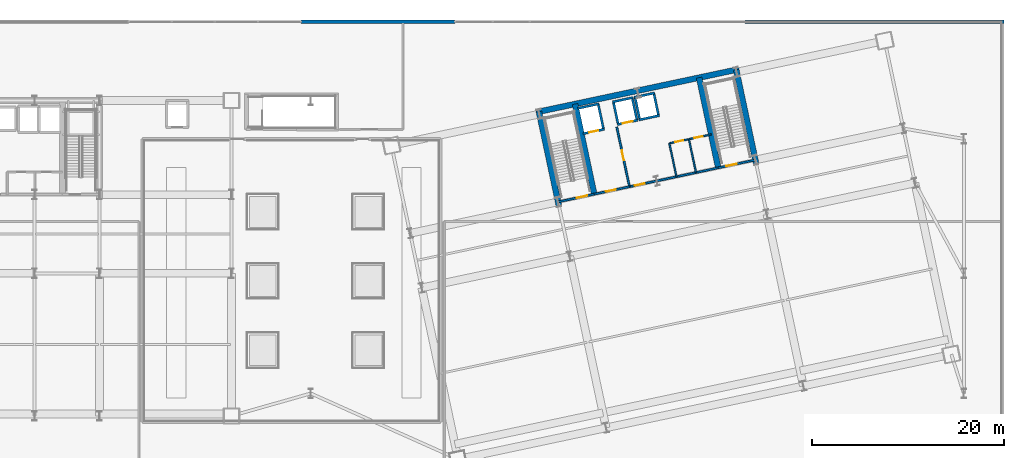
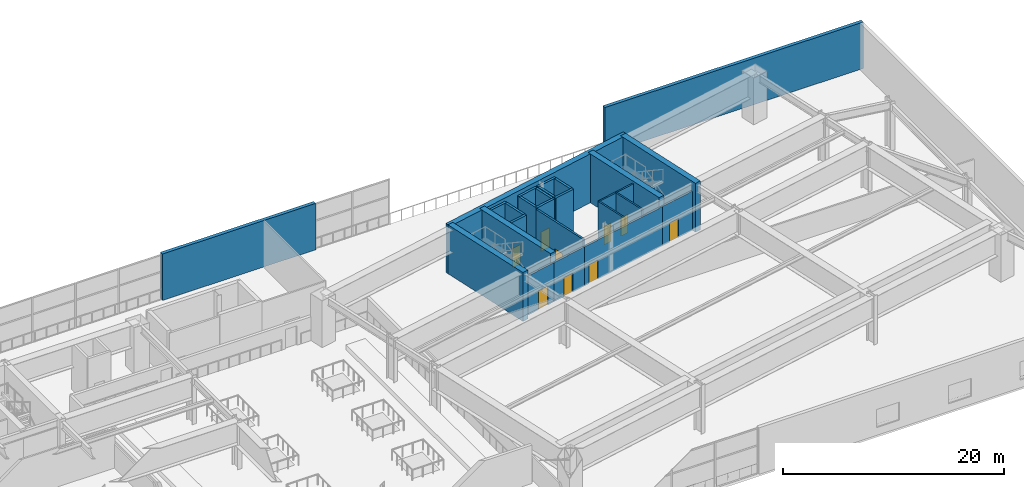
# One storey, part 19 of 29: 26 walls, 9 doors, 9 openings.
"""IFC4 building model written with IfcOpenShell, lengths in metres."""

import ifcopenshell
import ifcopenshell.guid

model = None  # the IFC model being written
_history = None  # IfcOwnerHistory: only IFC2X3 demands one
_inside = {}  # id of a spatial element -> (the spatial element, [elements in it])
_under = {}  # id of a project, library or spatial element -> (it, [spatial elements below it])
_declared = {}  # id of a project -> (the project, [libraries it declares])
_typed = {}  # id of a type object -> (the type object, [elements of that type])
_made_of = {}  # id of a material, layer set ... -> (it, [elements and type objects made of it])


def new_model(schema):
    """Start an empty IFC model of exactly this schema.

    Asked for "IFC4X3", IfcOpenShell would pick the latest addendum, in which some entities
    have other attributes; the version numbers below select the first issue.
    IFC2X3 requires an IfcOwnerHistory on every rooted entity: one is made here for all.
    """
    global model, _history
    if schema == "IFC4X3":
        model = ifcopenshell.file(schema_version=(4, 3, 0, 0))
    else:
        model = ifcopenshell.file(schema=schema)
    _inside.clear()
    _under.clear()
    _declared.clear()
    _typed.clear()
    _made_of.clear()
    _history = None
    if model.schema == "IFC2X3":
        org = make("IfcOrganization", Name="unknown")
        user = make(
            "IfcPersonAndOrganization",
            ThePerson=make("IfcPerson", FamilyName="unknown"),
            TheOrganization=org,
        )
        app = make(
            "IfcApplication",
            ApplicationDeveloper=org,
            Version="unknown",
            ApplicationFullName="unknown",
            ApplicationIdentifier="unknown",
        )
        _history = make(
            "IfcOwnerHistory",
            OwningUser=user,
            OwningApplication=app,
            ChangeAction="ADDED",
            CreationDate=0,
        )
    return model


def make(cls, **values):
    """One entity of the class cls with the attributes given. An attribute that is None is left unset."""
    return model.create_entity(
        cls, **{name: value for name, value in values.items() if value is not None}
    )


def rooted(cls, **values):
    """An entity with a GlobalId (a new one), such as an element, a storey or a relation."""
    return make(cls, GlobalId=ifcopenshell.guid.new(), OwnerHistory=_history, **values)


def si_unit(unit_type, name, prefix=None):
    """IfcSIUnit, for example si_unit("LENGTHUNIT", "METRE", prefix="MILLI")."""
    return make("IfcSIUnit", UnitType=unit_type, Prefix=prefix, Name=name)


def assignment(units):
    """IfcUnitAssignment: the units of a project."""
    return None if units is None else make("IfcUnitAssignment", Units=units)


def point(xyz):
    """IfcCartesianPoint."""
    return None if xyz is None else make("IfcCartesianPoint", Coordinates=xyz)


def direction(xyz):
    """IfcDirection."""
    return None if xyz is None else make("IfcDirection", DirectionRatios=xyz)


def frame(location, z_axis=None, x_axis=None):
    """IfcAxis2Placement3D, a coordinate frame: its origin and axes. An axis left out is left unset."""
    return make(
        "IfcAxis2Placement3D",
        Location=point(location),
        Axis=direction(z_axis),
        RefDirection=direction(x_axis),
    )


def frame_2d(location, x_axis=None):
    """IfcAxis2Placement2D, a coordinate frame in the plane: its origin and x axis."""
    return make(
        "IfcAxis2Placement2D", Location=point(location), RefDirection=direction(x_axis)
    )


def origin():
    """The frame at (0, 0, 0) with its axes left unset."""
    return frame((0.0, 0.0, 0.0))


def place(relative_to, where):
    """IfcLocalPlacement: puts the frame where relative to a parent placement (None: the world)."""
    return make(
        "IfcLocalPlacement", PlacementRelTo=relative_to, RelativePlacement=where
    )


def context(
    kind, dimensions, precision=None, world=None, true_north=None, identifier=None
):
    """IfcGeometricRepresentationContext, for example the 3D "Model" context."""
    return make(
        "IfcGeometricRepresentationContext",
        ContextIdentifier=identifier,
        ContextType=kind,
        CoordinateSpaceDimension=dimensions,
        Precision=precision,
        WorldCoordinateSystem=world,
        TrueNorth=true_north,
    )


def subcontext(parent, identifier, kind, view, scale=None):
    """IfcGeometricRepresentationSubContext, for example "Body" below "Model"."""
    return make(
        "IfcGeometricRepresentationSubContext",
        ContextIdentifier=identifier,
        ContextType=kind,
        ParentContext=parent,
        TargetScale=scale,
        TargetView=view,
    )


def project(units=None, contexts=None):
    """IfcProject with its units and contexts."""
    return rooted(
        "IfcProject",
        Name="project",
        RepresentationContexts=contexts,
        UnitsInContext=assignment(units),
    )


def spatial(cls, under=None, at=None, **own):
    """A site, building, storey or space (cls), placed at a placement, below another one or the project."""
    s = rooted(cls, ObjectPlacement=at, **own)
    if under is not None:
        _under.setdefault(under.id(), (under, []))[1].append(s)
    return s


def profile(cls, at=None, kind="AREA", **sizes):
    """A parametric profile (cls). Its sizes go by their IFC names, for example OverallWidth=200.0."""
    return make(cls, ProfileType=kind, Position=at, **sizes)


def rectangle(**sizes):
    """IfcRectangleProfileDef."""
    return profile("IfcRectangleProfileDef", **sizes)


def extrude(swept, where, along, depth):
    """IfcExtrudedAreaSolid: the profile swept, set in the frame where, extruded along a direction by depth."""
    return make(
        "IfcExtrudedAreaSolid",
        SweptArea=swept,
        Position=where,
        ExtrudedDirection=direction(along),
        Depth=depth,
    )


def shape(context_of_items, identifier, shape_type, items):
    """IfcShapeRepresentation: the items that make up one representation, for example the "Body"."""
    return make(
        "IfcShapeRepresentation",
        ContextOfItems=context_of_items,
        RepresentationIdentifier=identifier,
        RepresentationType=shape_type,
        Items=items,
    )


def material(Name=None, Category=None):
    """IfcMaterial."""
    return make("IfcMaterial", Name=Name, Category=Category)


def layer(
    of_material, thickness, ventilated=None, Name=None, Category=None, Priority=None
):
    """IfcMaterialLayer: one layer of a wall or slab, of a material (None: an air gap)."""
    return make(
        "IfcMaterialLayer",
        Material=of_material,
        LayerThickness=thickness,
        IsVentilated=ventilated,
        Name=Name,
        Category=Category,
        Priority=Priority,
    )


def layer_set(layers, Name=None):
    """IfcMaterialLayerSet."""
    return make("IfcMaterialLayerSet", MaterialLayers=layers, LayerSetName=Name)


def made_of(thing, what):
    """Note that an element or type object is made of a material, layer set ...; save() writes the relation."""
    if what is not None:
        _made_of.setdefault(what.id(), (what, []))[1].append(thing)
    return thing


def type_object(cls, material=None, **own):
    """A type object (cls), such as IfcWallType, which elements share."""
    return made_of(rooted(cls, **own), material)


def element(
    cls,
    number,
    at=None,
    inside=None,
    cuts=None,
    type_object=None,
    material=None,
    context=None,
    identifier="Body",
    shape_type=None,
    held_by="IfcProductDefinitionShape",
    body=None,
    shapes=None,
    **own,
):
    """One element of the class cls, such as IfcWall. Its Tag is "e" and its number.

    at: its placement. inside: the storey or other place that contains it. cuts: it is an
    opening in that element (IfcRelVoidsElement). A single representation is given by context,
    identifier, shape_type and body (its items); several are given by shapes. held_by: the class
    of the entity that holds the representations. save() writes the other relations.
    """
    e = rooted(cls, Tag="e%d" % number, ObjectPlacement=at, **own)
    if body is not None:
        shapes = [shape(context, identifier, shape_type, body)]
    if shapes is not None:
        e.Representation = make(held_by, Representations=shapes)
    if inside is not None:
        _inside.setdefault(inside.id(), (inside, []))[1].append(e)
    if cuts is not None:
        rooted(
            "IfcRelVoidsElement", RelatingBuildingElement=cuts, RelatedOpeningElement=e
        )
    if type_object is not None:
        _typed.setdefault(type_object.id(), (type_object, []))[1].append(e)
    return made_of(e, material)


def fill(opening, filler):
    """IfcRelFillsElement: the door or window that sits in an opening."""
    return rooted(
        "IfcRelFillsElement",
        RelatingOpeningElement=opening,
        RelatedBuildingElement=filler,
    )


def aggregate(whole, parts):
    """IfcRelAggregates: a whole, such as a stair, and the parts it consists of."""
    return rooted("IfcRelAggregates", RelatingObject=whole, RelatedObjects=parts)


def save(model, path):
    """Write the relations noted so far, then the file.

    IfcRelAggregates (storeys below a building ...), IfcRelContainedInSpatialStructure (elements
    in a storey), IfcRelDefinesByType, IfcRelAssociatesMaterial and IfcRelDeclares: one each for
    every whole, place, type object, material and project.
    """
    for whole, parts in _under.values():
        aggregate(whole, parts)
    for where, things in _inside.values():
        rooted(
            "IfcRelContainedInSpatialStructure",
            RelatedElements=things,
            RelatingStructure=where,
        )
    for kind, things in _typed.values():
        rooted("IfcRelDefinesByType", RelatedObjects=things, RelatingType=kind)
    for what, things in _made_of.values():
        rooted("IfcRelAssociatesMaterial", RelatedObjects=things, RelatingMaterial=what)
    for by, libraries in _declared.values():
        rooted("IfcRelDeclares", RelatingContext=by, RelatedDefinitions=libraries)
    model.write(path)


model = new_model("IFC4")

# Units and contexts
model_context = context("Model", 3, precision=1e-05, world=origin(), true_north=direction((0.0, 1.0)))
body_context = subcontext(model_context, "Body", "Model", "MODEL_VIEW")
ifc_project = project(units=[si_unit("LENGTHUNIT", "METRE"), si_unit("AREAUNIT", "SQUARE_METRE"), si_unit("VOLUMEUNIT", "CUBIC_METRE"), si_unit("PLANEANGLEUNIT", "RADIAN"), si_unit("MASSUNIT", "GRAM", prefix="KILO")], contexts=[model_context])

# Site, building, storey
site_placement = place(None, origin())
site = spatial("IfcSite", under=ifc_project, at=site_placement, CompositionType="ELEMENT")
building_placement = place(site_placement, origin())
building = spatial("IfcBuilding", under=site, at=building_placement, Name="Haevon Station Towers", CompositionType="ELEMENT")
storey_placement = place(building_placement, frame((0.0, 0.0, 25.199951171875)))
storey = spatial("IfcBuildingStorey", under=building, at=storey_placement, Name="L05", CompositionType="ELEMENT", Elevation=25.199951171875)

# Wall, opening, door
ifc_material_1 = material(Name="Gypsum board on steel stud", Category="steel")
ifc_layer_1 = layer(ifc_material_1, 0.199951171875)
ifc_layer_set_1 = layer_set([ifc_layer_1], Name="Gypsum board on steel stud")
wall_type_1 = type_object("IfcWallType", Name="WL-COR200", PredefinedType="PARTITIONING", material=ifc_layer_set_1)
wall_1_placement = place(storey_placement, frame((98.75244140625, 37.4423828125, 0.0), z_axis=(0.0, 0.0, 1.0), x_axis=(0.978143537786, 0.207930804564, 0.0)))
wall_1 = element("IfcWall", 1, at=wall_1_placement, inside=storey, type_object=wall_type_1, Name="WL-ST-ST3-L05", PredefinedType="PARTITIONING", context=body_context, shape_type="SweptSolid", body=[
    extrude(rectangle(XDim=3.85009765625, YDim=0.199951171875, at=frame_2d((1.925048828125, 0.0))), origin(), (0.0, 0.0, 1.0), 4.330078125),
])
opening_1_placement = place(wall_1_placement, frame((2.0, 0.0, 0.0)))
opening_1 = element("IfcOpeningElement", 2, at=opening_1_placement, cuts=wall_1, Name="Opening DR-ST-ST3-L05", PredefinedType="OPENING", context=body_context, shape_type="SweptSolid", body=[
    extrude(rectangle(XDim=1.1201171875, YDim=2.10009765625, at=frame_2d((0.56005859375, 1.050048828125))), frame((0.0, 0.10986328125, 0.0), z_axis=(0.0, -1.0, 0.0), x_axis=(1.0, 0.0, 0.0)), (0.0, 0.0, 1.0), 0.219970703125),
])
ifc_material_2 = material(Name="Engineered oak timber", Category="wood")
door_type_1 = type_object("IfcDoorType", Name="DR-ST-1120", OperationType="NOTDEFINED", PredefinedType="DOOR", material=ifc_material_2)
door_1_placement = place(opening_1_placement, origin())
door_1 = element("IfcDoor", 3, at=door_1_placement, inside=storey, type_object=door_type_1, Name="L05 Escape Stair ST3 Fire Door", OperationType="SINGLE_SWING_RIGHT", OverallHeight=2.10009765625, OverallWidth=1.1201171875, PredefinedType="DOOR", context=body_context, shape_type="SweptSolid", body=[
    extrude(rectangle(XDim=1.1201171875, YDim=2.10009765625, at=frame_2d((0.56005859375, 1.050048828125))), frame((0.0, 0.02490234375, 0.0), z_axis=(0.0, -1.0, 0.0), x_axis=(1.0, 0.0, 0.0)), (0.0, 0.0, 1.0), 0.050048828125),
])
fill(opening_1, door_1)

wall_2_placement = place(storey_placement, frame((115.4296875, 40.9873046875, 0.0), z_axis=(0.0, 0.0, 1.0), x_axis=(0.978146596989, 0.207916413008, 0.0)))
wall_2 = element("IfcWall", 4, at=wall_2_placement, inside=storey, type_object=wall_type_1, Name="WL-ST-ST4-L05", PredefinedType="PARTITIONING", context=body_context, shape_type="SweptSolid", body=[
    extrude(rectangle(XDim=3.9501953125, YDim=0.199951171875, at=frame_2d((1.97509765625, 0.0))), origin(), (0.0, 0.0, 1.0), 4.330078125),
])
opening_2_placement = place(wall_2_placement, frame((0.85009765625, 0.0, 0.0)))
opening_2 = element("IfcOpeningElement", 5, at=opening_2_placement, cuts=wall_2, Name="Opening DR-ST-ST4-L05", PredefinedType="OPENING", context=body_context, shape_type="SweptSolid", body=[
    extrude(rectangle(XDim=1.1201171875, YDim=2.10009765625, at=frame_2d((0.56005859375, 1.050048828125))), frame((0.0, 0.10986328125, 0.0), z_axis=(0.0, -1.0, 0.0), x_axis=(1.0, 0.0, 0.0)), (0.0, 0.0, 1.0), 0.219970703125),
])
door_2_placement = place(opening_2_placement, origin())
door_2 = element("IfcDoor", 6, at=door_2_placement, inside=storey, type_object=door_type_1, Name="L05 Escape Stair ST4 Fire Door", OperationType="SINGLE_SWING_LEFT", OverallHeight=2.10009765625, OverallWidth=1.1201171875, PredefinedType="DOOR", context=body_context, shape_type="SweptSolid", body=[
    extrude(rectangle(XDim=1.1201171875, YDim=2.10009765625, at=frame_2d((0.56005859375, 1.050048828125))), frame((0.0, 0.02490234375, 0.0), z_axis=(0.0, -1.0, 0.0), x_axis=(1.0, 0.0, 0.0)), (0.0, 0.0, 1.0), 0.050048828125),
])
fill(opening_2, door_2)

wall_3_placement = place(storey_placement, frame((106.186279296875, 39.0224609375, 0.0), z_axis=(0.0, 0.0, 1.0), x_axis=(-0.207916691923, 0.978146537703, 0.0)))
wall_3 = element("IfcWall", 7, at=wall_3_placement, inside=storey, type_object=wall_type_1, Name="WL-T2FFL-L05-E", PredefinedType="PARTITIONING", context=body_context, shape_type="SweptSolid", body=[
    extrude(rectangle(XDim=6.35009765625, YDim=0.199951171875, at=frame_2d((3.175048828125, 0.0))), origin(), (0.0, 0.0, 1.0), 5.130126953125),
])
opening_3_placement = place(wall_3_placement, frame((2.800048828125, 0.0, 0.0)))
opening_3 = element("IfcOpeningElement", 8, at=opening_3_placement, cuts=wall_3, Name="Opening DR-T2FFL-L05-E", PredefinedType="OPENING", context=body_context, shape_type="SweptSolid", body=[
    extrude(rectangle(XDim=1.050048828125, YDim=2.10009765625, at=frame_2d((0.52490234375, 1.050048828125))), frame((0.0, 0.10986328125, 0.0), z_axis=(0.0, -1.0, 0.0), x_axis=(1.0, 0.0, 0.0)), (0.0, 0.0, 1.0), 0.219970703125),
])
door_type_2 = type_object("IfcDoorType", Name="DR-FD60-1050", OperationType="NOTDEFINED", PredefinedType="DOOR", material=ifc_material_2)
door_3_placement = place(opening_3_placement, origin())
door_3 = element("IfcDoor", 9, at=door_3_placement, inside=storey, type_object=door_type_2, Name="L05 Tower 2 Firefighting Lift Lobby Door E", OperationType="SINGLE_SWING_RIGHT", OverallHeight=2.10009765625, OverallWidth=1.050048828125, PredefinedType="DOOR", context=body_context, shape_type="SweptSolid", body=[
    extrude(rectangle(XDim=1.050048828125, YDim=2.10009765625, at=frame_2d((0.52490234375, 1.050048828125))), frame((0.0, 0.02490234375, 0.0), z_axis=(0.0, -1.0, 0.0), x_axis=(1.0, 0.0, 0.0)), (0.0, 0.0, 1.0), 0.050048828125),
])
fill(opening_3, door_3)

wall_4_placement = place(storey_placement, frame((102.518310546875, 38.242919921875, 0.0), z_axis=(0.0, 0.0, 1.0), x_axis=(0.978153555683, 0.20788367301, 0.0)))
wall_4 = element("IfcWall", 10, at=wall_4_placement, inside=storey, type_object=wall_type_1, Name="WL-T2FFL-L05-S", PredefinedType="PARTITIONING", context=body_context, shape_type="SweptSolid", body=[
    extrude(rectangle(XDim=3.75, YDim=0.199951171875, at=frame_2d((1.875, 0.0))), origin(), (0.0, 0.0, 1.0), 4.330078125),
])
opening_4_placement = place(wall_4_placement, frame((1.25, 0.0, 0.0)))
opening_4 = element("IfcOpeningElement", 11, at=opening_4_placement, cuts=wall_4, Name="Opening DR-T2FFL-L05-S", PredefinedType="OPENING", context=body_context, shape_type="SweptSolid", body=[
    extrude(rectangle(XDim=1.050048828125, YDim=2.10009765625, at=frame_2d((0.52490234375, 1.050048828125))), frame((0.0, 0.10986328125, 0.0), z_axis=(0.0, -1.0, 0.0), x_axis=(1.0, 0.0, 0.0)), (0.0, 0.0, 1.0), 0.219970703125),
])
door_4_placement = place(opening_4_placement, origin())
door_4 = element("IfcDoor", 12, at=door_4_placement, inside=storey, type_object=door_type_2, Name="L05 Tower 2 Firefighting Lift Lobby Door S", OperationType="SINGLE_SWING_LEFT", OverallHeight=2.10009765625, OverallWidth=1.050048828125, PredefinedType="DOOR", context=body_context, shape_type="SweptSolid", body=[
    extrude(rectangle(XDim=1.050048828125, YDim=2.10009765625, at=frame_2d((0.52490234375, 1.050048828125))), frame((0.0, 0.02490234375, 0.0), z_axis=(0.0, -1.0, 0.0), x_axis=(1.0, 0.0, 0.0)), (0.0, 0.0, 1.0), 0.050048828125),
])
fill(opening_4, door_4)

wall_5_placement = place(storey_placement, frame((106.186279296875, 39.0224609375, 0.0), z_axis=(0.0, 0.0, 1.0), x_axis=(0.978145519981, 0.20792147975, 0.0)))
wall_5 = element("IfcWall", 13, at=wall_5_placement, inside=storey, type_object=wall_type_1, Name="WL-T2CLB-L05", PredefinedType="PARTITIONING", context=body_context, shape_type="SweptSolid", body=[
    extrude(rectangle(XDim=9.449951171875, YDim=0.199951171875, at=frame_2d((4.72509765625, 0.0))), origin(), (0.0, 0.0, 1.0), 4.330078125),
])
opening_5_placement = place(wall_5_placement, frame((0.550048828125, 0.0, 0.0)))
opening_5 = element("IfcOpeningElement", 14, at=opening_5_placement, cuts=wall_5, Name="Opening DR-T2CLB-L05-1", PredefinedType="OPENING", context=body_context, shape_type="SweptSolid", body=[
    extrude(rectangle(XDim=1.050048828125, YDim=2.10009765625, at=frame_2d((0.52490234375, 1.050048828125))), frame((0.0, 0.10986328125, 0.0), z_axis=(0.0, -1.0, 0.0), x_axis=(1.0, 0.0, 0.0)), (0.0, 0.0, 1.0), 0.219970703125),
])
door_5_placement = place(opening_5_placement, origin())
door_5 = element("IfcDoor", 15, at=door_5_placement, inside=storey, type_object=door_type_2, Name="L05 Tower 2 Core Lift Lobby Door 1", OperationType="SINGLE_SWING_RIGHT", OverallHeight=2.10009765625, OverallWidth=1.050048828125, PredefinedType="DOOR", context=body_context, shape_type="SweptSolid", body=[
    extrude(rectangle(XDim=1.050048828125, YDim=2.10009765625, at=frame_2d((0.52490234375, 1.050048828125))), frame((0.0, 0.02490234375, 0.0), z_axis=(0.0, -1.0, 0.0), x_axis=(1.0, 0.0, 0.0)), (0.0, 0.0, 1.0), 0.050048828125),
])
fill(opening_5, door_5)

# Walls
ifc_material_3 = material(Name="Concrete C60/75", Category="concrete")
ifc_layer_2 = layer(ifc_material_3, 0.60009765625)
ifc_layer_set_2 = layer_set([ifc_layer_2], Name="Concrete C60/75")
wall_type_2 = type_object("IfcWallType", Name="WL-CR600", PredefinedType="SHEAR", material=ifc_layer_set_2)
wall_6_placement = place(storey_placement, frame((96.462890625, 46.770263671875, 0.0), z_axis=(0.0, 0.0, 1.0), x_axis=(0.978147272959, 0.207913232873, 0.0)))
element("IfcWall", 16, at=wall_6_placement, inside=storey, type_object=wall_type_2, Name="WL-T2CR-L05-N", PredefinedType="SHEAR", context=body_context, shape_type="SweptSolid", body=[
    extrude(rectangle(XDim=21.60009765625, YDim=0.60009765625, at=frame_2d((10.800048828125, 0.0))), origin(), (0.0, 0.0, 1.0), 5.400146484375),
])
wall_7_placement = place(storey_placement, frame((98.8603515625, 36.933837890625, 0.0), z_axis=(0.0, 0.0, 1.0), x_axis=(-0.20790924889, 0.978148119778, 0.0)))
element("IfcWall", 17, at=wall_7_placement, inside=storey, type_object=wall_type_2, Name="WL-T2CR-L05-W", PredefinedType="SHEAR", context=body_context, shape_type="SweptSolid", body=[
    extrude(rectangle(XDim=10.119873046875, YDim=0.60009765625, at=frame_2d((5.06005859375, 0.0))), origin(), (0.0, 0.0, 1.0), 5.400146484375),
])
wall_8_placement = place(storey_placement, frame((119.401611328125, 41.2998046875, 0.0), z_axis=(0.0, 0.0, 1.0), x_axis=(-0.207904342798, 0.978149162575, 0.0)))
element("IfcWall", 18, at=wall_8_placement, inside=storey, type_object=wall_type_2, Name="WL-T2CR-L05-E", PredefinedType="SHEAR", context=body_context, shape_type="SweptSolid", body=[
    extrude(rectangle(XDim=10.1201171875, YDim=0.60009765625, at=frame_2d((5.06005859375, 0.0))), origin(), (0.0, 0.0, 1.0), 5.400146484375),
])
for number, where, z_axis, x_axis, name in (
    (19, (102.518310546875, 38.242919921875, 0.0), (0.0, 0.0, 1.0), (-0.207927495108, 0.978144241295, 0.0), "WL-T2CR-L05-M1"),
    (20, (115.4296875, 40.9873046875, 0.0), (0.0, 0.0, 1.0), (-0.207903162969, 0.978149413345, 0.0), "WL-T2CR-L05-M2"),
):
    element("IfcWall", number, at=place(storey_placement, frame(where, z_axis=z_axis, x_axis=x_axis)), inside=storey, type_object=wall_type_2, Name=name, PredefinedType="SHEAR", context=body_context, shape_type="SweptSolid", body=[
        extrude(rectangle(XDim=9.599853515625, YDim=0.60009765625, at=frame_2d((4.7998046875, 0.0))), origin(), (0.0, 0.0, 1.0), 5.400146484375),
    ])
ifc_material_4 = material(Name="Precast concrete C45/55", Category="concrete")
ifc_layer_3 = layer(ifc_material_4, 0.360107421875)
ifc_layer_set_3 = layer_set([ifc_layer_3], Name="Precast concrete C45/55")
wall_type_3 = type_object("IfcWallType", Name="WL-EXT-POD360", PredefinedType="SOLIDWALL", material=ifc_layer_set_3)
wall_9_placement = place(storey_placement, frame((72.0, 56.199951171875, 0.0), z_axis=(0.0, 0.0, 1.0), x_axis=(1.0, 0.0, 0.0)))
element("IfcWall", 21, at=wall_9_placement, inside=storey, type_object=wall_type_3, Name="WL-POD-L05-N2", PredefinedType="SOLIDWALL", context=body_context, shape_type="SweptSolid", body=[
    extrude(rectangle(XDim=16.0, YDim=0.360107421875, at=frame_2d((8.0, 0.0))), origin(), (0.0, 0.0, 1.0), 5.130126953125),
])
wall_10_placement = place(storey_placement, frame((118.199951171875, 56.199951171875, 0.0), z_axis=(0.0, 0.0, 1.0), x_axis=(1.0, 0.0, 0.0)))
element("IfcWall", 22, at=wall_10_placement, inside=storey, type_object=wall_type_3, Name="WL-POD-L05-N3", PredefinedType="SOLIDWALL", context=body_context, shape_type="SweptSolid", body=[
    extrude(rectangle(XDim=26.97998046875, YDim=0.360107421875, at=frame_2d((13.489990234375, 0.0))), origin(), (0.0, 0.0, 1.0), 5.130126953125),
])
ifc_layer_4 = layer(ifc_material_1, 0.159912109375)
ifc_layer_set_4 = layer_set([ifc_layer_4], Name="Gypsum board on steel stud")
wall_type_4 = type_object("IfcWallType", Name="WL-PRT160", PredefinedType="PARTITIONING", material=ifc_layer_set_4)
for number, where, z_axis, x_axis, name in (
    (23, (111.076904296875, 40.06201171875, 0.0), (0.0, 0.0, 1.0), (-0.207899058817, 0.978150285663, 0.0), "WL-T2CW-L05-01"),
    (24, (113.111572265625, 40.49462890625, 0.0), (0.0, 0.0, 1.0), (-0.207899058817, 0.978150285663, 0.0), "WL-T2CW-L05-02"),
):
    element("IfcWall", number, at=place(storey_placement, frame(where, z_axis=z_axis, x_axis=x_axis)), inside=storey, type_object=wall_type_4, Name=name, PredefinedType="PARTITIONING", context=body_context, shape_type="SweptSolid", body=[
        extrude(rectangle(XDim=3.550048828125, YDim=0.159912109375, at=frame_2d((1.77490234375, 0.0))), origin(), (0.0, 0.0, 1.0), 5.130126953125),
    ])

# Wall, openings, doors
wall_11_placement = place(storey_placement, frame((110.3388671875, 43.534423828125, 0.0), z_axis=(0.0, 0.0, 1.0), x_axis=(0.978143929138, 0.207928963567, 0.0)))
wall_11 = element("IfcWall", 25, at=wall_11_placement, inside=storey, type_object=wall_type_4, Name="WL-T2CW-L05-03", PredefinedType="PARTITIONING", context=body_context, shape_type="SweptSolid", body=[
    extrude(rectangle(XDim=4.449951171875, YDim=0.159912109375, at=frame_2d((2.22509765625, 0.0))), origin(), (0.0, 0.0, 1.0), 5.130126953125),
])
opening_6_placement = place(wall_11_placement, frame((0.635009765625, 0.0, 0.0)))
opening_6 = element("IfcOpeningElement", 26, at=opening_6_placement, cuts=wall_11, Name="Opening DR-WL-T2CW-L05-03-1", PredefinedType="OPENING", context=body_context, shape_type="SweptSolid", body=[
    extrude(rectangle(XDim=0.85009765625, YDim=2.050048828125, at=frame_2d((0.425048828125, 1.02490234375))), frame((0.0, 0.08984375, 0.0), z_axis=(0.0, -1.0, 0.0), x_axis=(1.0, 0.0, 0.0)), (0.0, 0.0, 1.0), 0.179931640625),
])
opening_7_placement = place(wall_11_placement, frame((2.679931640625, 0.0, 0.0)))
opening_7 = element("IfcOpeningElement", 27, at=opening_7_placement, cuts=wall_11, Name="Opening DR-WL-T2CW-L05-03-2", PredefinedType="OPENING", context=body_context, shape_type="SweptSolid", body=[
    extrude(rectangle(XDim=0.85009765625, YDim=2.050048828125, at=frame_2d((0.425048828125, 1.02490234375))), frame((0.0, 0.08984375, 0.0), z_axis=(0.0, -1.0, 0.0), x_axis=(1.0, 0.0, 0.0)), (0.0, 0.0, 1.0), 0.179931640625),
])
door_type_3 = type_object("IfcDoorType", Name="DR-FD30-850", OperationType="NOTDEFINED", PredefinedType="DOOR", material=ifc_material_2)
door_6_placement = place(opening_6_placement, origin())
door_6 = element("IfcDoor", 28, at=door_6_placement, inside=storey, type_object=door_type_3, Name="L05 Tower 2 Core Room Door 3-1", OperationType="SINGLE_SWING_RIGHT", OverallHeight=2.050048828125, OverallWidth=0.85009765625, PredefinedType="DOOR", context=body_context, shape_type="SweptSolid", body=[
    extrude(rectangle(XDim=0.85009765625, YDim=2.050048828125, at=frame_2d((0.425048828125, 1.02490234375))), frame((0.0, 0.02490234375, 0.0), z_axis=(0.0, -1.0, 0.0), x_axis=(1.0, 0.0, 0.0)), (0.0, 0.0, 1.0), 0.050048828125),
])
fill(opening_6, door_6)
door_7_placement = place(opening_7_placement, origin())
door_7 = element("IfcDoor", 29, at=door_7_placement, inside=storey, type_object=door_type_3, Name="L05 Tower 2 Core Room Door 3-2", OperationType="SINGLE_SWING_LEFT", OverallHeight=2.050048828125, OverallWidth=0.85009765625, PredefinedType="DOOR", context=body_context, shape_type="SweptSolid", body=[
    extrude(rectangle(XDim=0.85009765625, YDim=2.050048828125, at=frame_2d((0.425048828125, 1.02490234375))), frame((0.0, 0.02490234375, 0.0), z_axis=(0.0, -1.0, 0.0), x_axis=(1.0, 0.0, 0.0)), (0.0, 0.0, 1.0), 0.050048828125),
])
fill(opening_7, door_7)

# Wall, opening, door
ifc_material_5 = material(Name="Concrete C40/50", Category="concrete")
ifc_layer_5 = layer(ifc_material_5, 0.239990234375)
ifc_layer_set_5 = layer_set([ifc_layer_5], Name="Concrete C40/50")
wall_type_5 = type_object("IfcWallType", Name="WL-SHF240", PredefinedType="PARTITIONING", material=ifc_layer_set_5)
wall_12_placement = place(storey_placement, frame((101.353759765625, 44.538330078125, 0.0), z_axis=(0.0, 0.0, 1.0), x_axis=(0.978141002414, 0.207942731049, 0.0)))
wall_12 = element("IfcWall", 30, at=wall_12_placement, inside=storey, type_object=wall_type_5, Name="WL-SHF-FL2-L05", PredefinedType="PARTITIONING", context=body_context, shape_type="SweptSolid", body=[
    extrude(rectangle(XDim=2.260009765625, YDim=0.239990234375, at=frame_2d((1.1298828125, 0.0))), origin(), (0.0, 0.0, 1.0), 5.130126953125),
])
opening_8_placement = place(wall_12_placement, frame((0.655029296875, 0.0, 0.0)))
opening_8 = element("IfcOpeningElement", 31, at=opening_8_placement, cuts=wall_12, Name="Opening LD-FL2-L05", PredefinedType="OPENING", context=body_context, shape_type="SweptSolid", body=[
    extrude(rectangle(XDim=0.949951171875, YDim=2.14990234375, at=frame_2d((0.47509765625, 1.074951171875))), frame((0.0, 0.1298828125, 0.0), z_axis=(0.0, -1.0, 0.0), x_axis=(1.0, 0.0, 0.0)), (0.0, 0.0, 1.0), 0.260009765625),
])
ifc_material_6 = material(Name="Stainless steel and rated core", Category="steel")
door_type_4 = type_object("IfcDoorType", Name="LD-FL950", OperationType="SLIDING_TO_LEFT", PredefinedType="DOOR", material=ifc_material_6)
door_8_placement = place(opening_8_placement, origin())
door_8 = element("IfcDoor", 32, at=door_8_placement, inside=storey, type_object=door_type_4, Name="L05 Lift FL2 Sliding Landing Door", OperationType="SLIDING_TO_LEFT", OverallHeight=2.14990234375, OverallWidth=0.949951171875, PredefinedType="DOOR", context=body_context, shape_type="SweptSolid", body=[
    extrude(rectangle(XDim=0.949951171875, YDim=2.14990234375, at=frame_2d((0.47509765625, 1.074951171875))), frame((0.0, 0.02490234375, 0.0), z_axis=(0.0, -1.0, 0.0), x_axis=(1.0, 0.0, 0.0)), (0.0, 0.0, 1.0), 0.050048828125),
])
fill(opening_8, door_8)

# Walls
wall_13_placement = place(storey_placement, frame((100.79248046875, 47.179443359375, 0.0), z_axis=(0.0, 0.0, 1.0), x_axis=(0.978162968872, 0.207839376268, 0.0)))
element("IfcWall", 33, at=wall_13_placement, inside=storey, type_object=wall_type_5, Name="WL-SHF-FL2-L05-N", PredefinedType="PARTITIONING", context=body_context, shape_type="SweptSolid", body=[
    extrude(rectangle(XDim=2.260009765625, YDim=0.239990234375, at=frame_2d((1.1298828125, 0.0))), origin(), (0.0, 0.0, 1.0), 5.130126953125),
])
wall_14_placement = place(storey_placement, frame((103.486328125, 44.99169921875, 0.0), z_axis=(0.0, 0.0, 1.0), x_axis=(-0.207978798957, 0.978133334052, 0.0)))
element("IfcWall", 34, at=wall_14_placement, inside=storey, type_object=wall_type_5, Name="WL-SHF-FL2-L05-E", PredefinedType="PARTITIONING", context=body_context, shape_type="SweptSolid", body=[
    extrude(rectangle(XDim=2.699951171875, YDim=0.239990234375, at=frame_2d((1.35009765625, 0.0))), origin(), (0.0, 0.0, 1.0), 5.130126953125),
])

# Wall, opening, door
wall_15_placement = place(storey_placement, frame((104.931396484375, 45.503173828125, 0.0), z_axis=(0.0, 0.0, 1.0), x_axis=(0.97813528961, 0.207969601673, 0.0)))
wall_15 = element("IfcWall", 35, at=wall_15_placement, inside=storey, type_object=wall_type_5, Name="WL-SHF-PL7-L05", PredefinedType="PARTITIONING", context=body_context, shape_type="SweptSolid", body=[
    extrude(rectangle(XDim=2.159912109375, YDim=0.239990234375, at=frame_2d((1.080078125, 0.0))), origin(), (0.0, 0.0, 1.0), 5.130126953125),
])
opening_9_placement = place(wall_15_placement, frame((0.554931640625, 0.0, 0.0)))
opening_9 = element("IfcOpeningElement", 36, at=opening_9_placement, cuts=wall_15, Name="Opening LD-PL7-L05", PredefinedType="OPENING", context=body_context, shape_type="SweptSolid", body=[
    extrude(rectangle(XDim=1.050048828125, YDim=2.14990234375, at=frame_2d((0.52490234375, 1.074951171875))), frame((0.0, 0.1298828125, 0.0), z_axis=(0.0, -1.0, 0.0), x_axis=(1.0, 0.0, 0.0)), (0.0, 0.0, 1.0), 0.260009765625),
])
door_type_5 = type_object("IfcDoorType", Name="LD-PL1050", OperationType="SLIDING_TO_LEFT", PredefinedType="DOOR", material=ifc_material_6)
door_9_placement = place(opening_9_placement, origin())
door_9 = element("IfcDoor", 37, at=door_9_placement, inside=storey, type_object=door_type_5, Name="L05 Lift PL7 Sliding Landing Door", OperationType="SLIDING_TO_LEFT", OverallHeight=2.14990234375, OverallWidth=1.050048828125, PredefinedType="DOOR", context=body_context, shape_type="SweptSolid", body=[
    extrude(rectangle(XDim=1.050048828125, YDim=2.14990234375, at=frame_2d((0.52490234375, 1.074951171875))), frame((0.0, 0.02490234375, 0.0), z_axis=(0.0, -1.0, 0.0), x_axis=(1.0, 0.0, 0.0)), (0.0, 0.0, 1.0), 0.050048828125),
])
fill(opening_9, door_9)

# Walls
wall_16_placement = place(storey_placement, frame((104.432373046875, 47.850830078125, 0.0), z_axis=(0.0, 0.0, 1.0), x_axis=(0.978158276388, 0.207861459473, 0.0)))
element("IfcWall", 38, at=wall_16_placement, inside=storey, type_object=wall_type_5, Name="WL-SHF-PL7-L05-N", PredefinedType="PARTITIONING", context=body_context, shape_type="SweptSolid", body=[
    extrude(rectangle(XDim=2.159912109375, YDim=0.239990234375, at=frame_2d((1.080078125, 0.0))), origin(), (0.0, 0.0, 1.0), 5.130126953125),
])
wall_17_placement = place(storey_placement, frame((105.009765625, 45.519775390625, 0.0), z_axis=(0.0, 0.0, 1.0), x_axis=(-0.207917150959, 0.978146440129, 0.0)))
element("IfcWall", 39, at=wall_17_placement, inside=storey, type_object=wall_type_5, Name="WL-SHF-PL7-L05-W", PredefinedType="PARTITIONING", context=body_context, shape_type="SweptSolid", body=[
    extrude(rectangle(XDim=2.400146484375, YDim=0.239990234375, at=frame_2d((1.2001953125, 0.0))), origin(), (0.0, 0.0, 1.0), 5.130126953125),
])
wall_18_placement = place(storey_placement, frame((106.966064453125, 45.935791015625, 0.0), z_axis=(0.0, 0.0, 1.0), x_axis=(-0.207937840262, 0.978142042133, 0.0)))
element("IfcWall", 40, at=wall_18_placement, inside=storey, type_object=wall_type_5, Name="WL-SHF-PL7-L05-E", PredefinedType="PARTITIONING", context=body_context, shape_type="SweptSolid", body=[
    extrude(rectangle(XDim=2.39990234375, YDim=0.239990234375, at=frame_2d((1.199951171875, 0.0))), origin(), (0.0, 0.0, 1.0), 5.130126953125),
])
for number, where, z_axis, x_axis, name in (
    (41, (107.18115234375, 45.9814453125, 0.0), (0.0, 0.0, 1.0), (0.97813528961, 0.207969601673, 0.0), "WL-SHF-PL8-L05"),
    (42, (106.68212890625, 48.3291015625, 0.0), (0.0, 0.0, 1.0), (0.978158276388, 0.207861459473, 0.0), "WL-SHF-PL8-L05-N"),
):
    element("IfcWall", number, at=place(storey_placement, frame(where, z_axis=z_axis, x_axis=x_axis)), inside=storey, type_object=wall_type_5, Name=name, PredefinedType="PARTITIONING", context=body_context, shape_type="SweptSolid", body=[
        extrude(rectangle(XDim=2.159912109375, YDim=0.239990234375, at=frame_2d((1.080078125, 0.0))), origin(), (0.0, 0.0, 1.0), 5.130126953125),
    ])
for number, where, z_axis, x_axis, name in (
    (43, (107.259521484375, 45.998046875, 0.0), (0.0, 0.0, 1.0), (-0.207917150959, 0.978146440129, 0.0), "WL-SHF-PL8-L05-W"),
    (44, (109.2158203125, 46.413818359375, 0.0), (0.0, 0.0, 1.0), (-0.207917150959, 0.978146440129, 0.0), "WL-SHF-PL8-L05-E"),
):
    element("IfcWall", number, at=place(storey_placement, frame(where, z_axis=z_axis, x_axis=x_axis)), inside=storey, type_object=wall_type_5, Name=name, PredefinedType="PARTITIONING", context=body_context, shape_type="SweptSolid", body=[
        extrude(rectangle(XDim=2.400146484375, YDim=0.239990234375, at=frame_2d((1.2001953125, 0.0))), origin(), (0.0, 0.0, 1.0), 5.130126953125),
    ])

save(model, "model.ifc")
